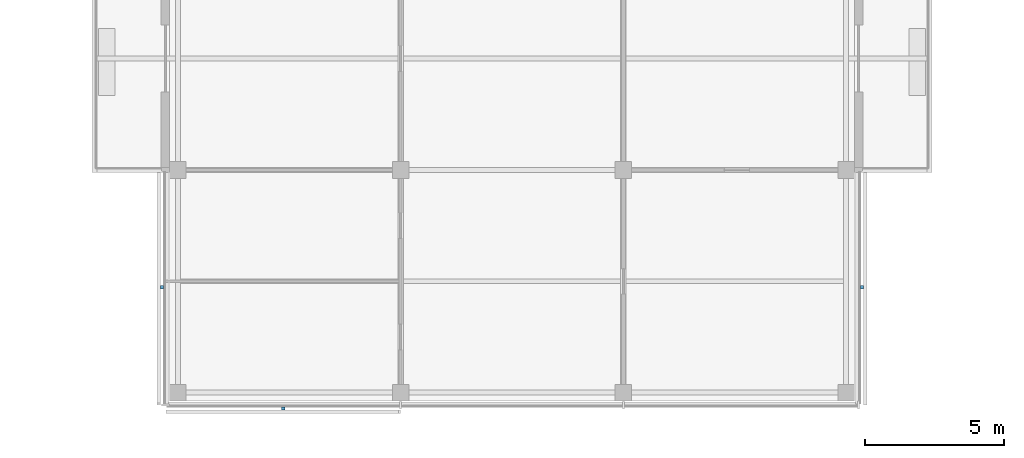
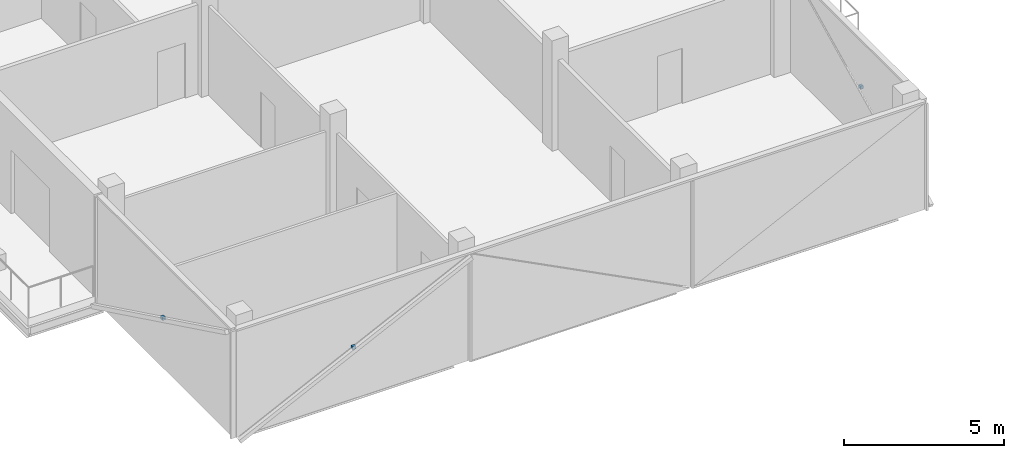
# One storey, part 9 of 11: 3 discrete accessories.
"""IFC4 building model written with IfcOpenShell, lengths in metres."""

from ifc_helpers import new_model, si_unit, direction, frame, origin, origin_2d, place, context, subcontext, project, spatial, rectangle, extrude, material, type_object, element, save


model = new_model("IFC4")

# Units and contexts
model_context = context("Model", 3, precision=1e-05, world=origin(), true_north=direction((0.0, 1.0)))
body_context = subcontext(model_context, "Body", "Model", "MODEL_VIEW")
ifc_project = project(units=[si_unit("LENGTHUNIT", "METRE"), si_unit("AREAUNIT", "SQUARE_METRE"), si_unit("VOLUMEUNIT", "CUBIC_METRE"), si_unit("PLANEANGLEUNIT", "RADIAN"), si_unit("MASSUNIT", "GRAM", prefix="KILO")], contexts=[model_context])

# Site, building, storey
site_placement = place(None, origin())
site = spatial("IfcSite", under=ifc_project, at=site_placement, CompositionType="ELEMENT")
building_placement = place(site_placement, origin())
building = spatial("IfcBuilding", under=site, at=building_placement, Name="Crosswind Convention Tower", CompositionType="ELEMENT")
storey_placement = place(building_placement, frame((0.0, 0.0, 344.89990234375)))
storey = spatial("IfcBuildingStorey", under=building, at=storey_placement, Name="L75", CompositionType="ELEMENT", Elevation=344.89990234375)

# Discrete accessories
ifc_material = material(Name="Stainless steel", Category="steel")
discrete_accessory_type = type_object("IfcDiscreteAccessoryType", Name="BAGUETTE BRACKET BK4", PredefinedType="BRACKET", material=ifc_material)
for number, where, z_axis, x_axis, name in (
    (1, (112.427978515625, 75.780029296875, 1.677490234375), (0.0, 0.0, 1.0), (0.0, -1.0, 0.0), "BK4 baguette bracket"),
    (2, (116.780029296875, 71.427978515625, 1.677490234375), (0.0, 0.0, 1.0), (1.0, 0.0, 0.0), "BK4 baguette bracket"),
    (3, (137.572021484375, 75.780029296875, 1.677490234375), (0.0, 0.0, 1.0), (0.0, 1.0, 0.0), "BK4 baguette bracket"),
):
    element("IfcDiscreteAccessory", number, at=place(storey_placement, frame(where, z_axis=z_axis, x_axis=x_axis)), inside=storey, type_object=discrete_accessory_type, Name=name, PredefinedType="BRACKET", context=body_context, shape_type="SweptSolid", body=[
        extrude(rectangle(XDim=0.1201171875, YDim=0.10009765625, at=origin_2d()), origin(), (0.0, 0.0, 1.0), 0.1201171875),
    ])

save(model, "model.ifc")
